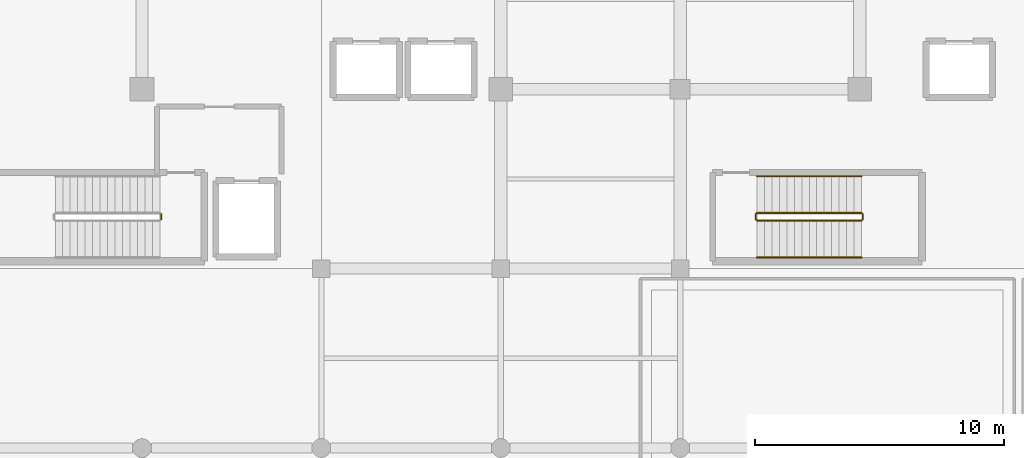
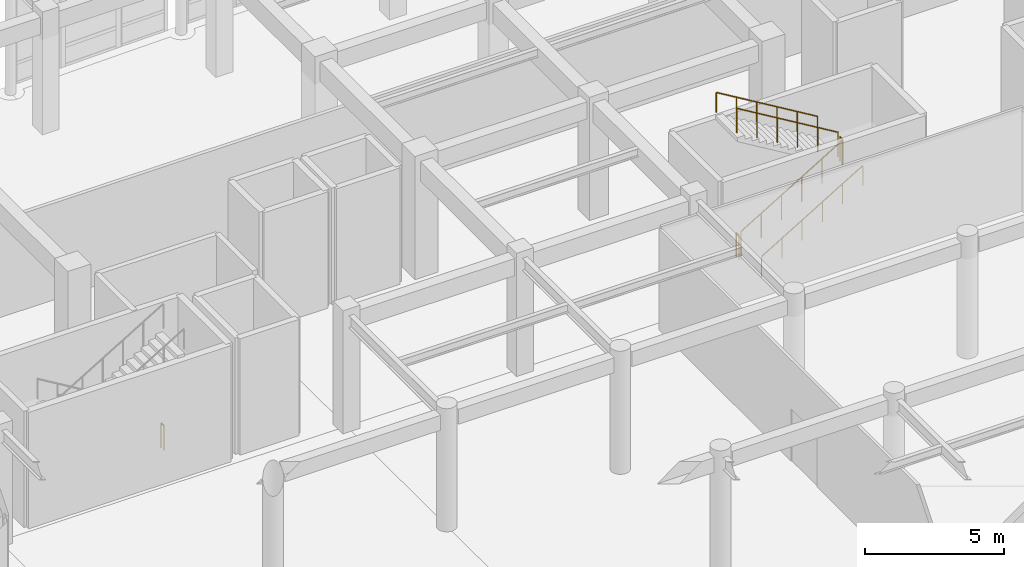
# One storey, part 96 of 102: 7 railings.
"""IFC4 building model written with IfcOpenShell, lengths in metres."""

from ifc_helpers import new_model, si_unit, direction, frame, origin, origin_2d, place, context, subcontext, project, spatial, circle, extrude, material, layer, layer_set, type_object, element, save


model = new_model("IFC4")

# Units and contexts
model_context = context("Model", 3, precision=1e-05, world=origin(), true_north=direction((0.0, 1.0)))
body_context = subcontext(model_context, "Body", "Model", "MODEL_VIEW")
ifc_project = project(units=[si_unit("LENGTHUNIT", "METRE"), si_unit("AREAUNIT", "SQUARE_METRE"), si_unit("VOLUMEUNIT", "CUBIC_METRE"), si_unit("PLANEANGLEUNIT", "RADIAN"), si_unit("MASSUNIT", "GRAM", prefix="KILO")], contexts=[model_context])

# Site, building, storey
site_placement = place(None, origin())
site = spatial("IfcSite", under=ifc_project, at=site_placement, CompositionType="ELEMENT")
building_placement = place(site_placement, origin())
building = spatial("IfcBuilding", under=site, at=building_placement, Name="Carrowvane Square Congress Hotel", CompositionType="ELEMENT")
storey_placement = place(building_placement, origin())
storey = spatial("IfcBuildingStorey", under=building, at=storey_placement, Name="L00", CompositionType="ELEMENT", Elevation=0.0)

# Railings
ifc_material_1 = material(Name="Stainless steel 316", Category="steel")
ifc_layer_1 = layer(ifc_material_1, 0.048095703125)
ifc_layer_set_1 = layer_set([ifc_layer_1], Name="Stainless steel 316")
railing_type_1 = type_object("IfcRailingType", Name="RLG-HR-900", PredefinedType="HANDRAIL", material=ifc_layer_set_1)
railing_1_placement = place(storey_placement, frame((101.080078125, 92.25, 0.179931640625)))
element("IfcRailing", 1, at=railing_1_placement, inside=storey, type_object=railing_type_1, Name="L00 ST3 stair handrail 1", PredefinedType="HANDRAIL", context=body_context, shape_type="SweptSolid", body=[
    extrude(circle(Radius=0.02392578125, at=origin_2d()), frame((0.0, 0.0, 0.8759765625), z_axis=(0.857488527567, 0.0, 0.514503085598), x_axis=(0.0, 1.0, 0.0)), (0.0, 0.0, 1.0), 4.89794921875),
    extrude(circle(Radius=0.02099609375, at=origin_2d()), origin(), (0.0, 0.0, 1.0), 0.851806640625),
    extrude(circle(Radius=0.02099609375, at=origin_2d()), frame((0.840087890625, 0.0, 0.50390625)), (0.0, 0.0, 1.0), 0.851806640625),
    extrude(circle(Radius=0.02099609375, at=origin_2d()), frame((1.679931640625, 0.0, 1.008056640625)), (0.0, 0.0, 1.0), 0.851806640625),
    extrude(circle(Radius=0.02099609375, at=origin_2d()), frame((2.52001953125, 0.0, 1.511962890625)), (0.0, 0.0, 1.0), 0.851806640625),
    extrude(circle(Radius=0.02099609375, at=origin_2d()), frame((3.35986328125, 0.0, 2.01611328125)), (0.0, 0.0, 1.0), 0.851806640625),
    extrude(circle(Radius=0.02099609375, at=origin_2d()), frame((4.199951171875, 0.0, 2.52001953125)), (0.0, 0.0, 1.0), 0.851806640625),
])
railing_2_placement = place(storey_placement, frame((105.280029296875, 95.510009765625, 2.8798828125)))
element("IfcRailing", 2, at=railing_2_placement, inside=storey, type_object=railing_type_1, Name="L00 ST3 stair handrail 2", PredefinedType="HANDRAIL", context=body_context, shape_type="SweptSolid", body=[
    extrude(circle(Radius=0.02392578125, at=origin_2d()), frame((0.0, 0.0, 0.8759765625), z_axis=(-0.857488527567, 0.0, 0.514503085598), x_axis=(0.0, -1.0, 0.0)), (0.0, 0.0, 1.0), 4.89794921875),
    extrude(circle(Radius=0.02099609375, at=origin_2d()), origin(), (0.0, 0.0, 1.0), 0.851806640625),
    extrude(circle(Radius=0.02099609375, at=origin_2d()), frame((-0.840087890625, 0.0, 0.50390625)), (0.0, 0.0, 1.0), 0.851806640625),
    extrude(circle(Radius=0.02099609375, at=origin_2d()), frame((-1.679931640625, 0.0, 1.008056640625)), (0.0, 0.0, 1.0), 0.851806640625),
    extrude(circle(Radius=0.02099609375, at=origin_2d()), frame((-2.52001953125, 0.0, 1.511962890625)), (0.0, 0.0, 1.0), 0.851806640625),
    extrude(circle(Radius=0.02099609375, at=origin_2d()), frame((-3.35986328125, 0.0, 2.01611328125)), (0.0, 0.0, 1.0), 0.851806640625),
    extrude(circle(Radius=0.02099609375, at=origin_2d()), frame((-4.199951171875, 0.0, 2.52001953125)), (0.0, 0.0, 1.0), 0.851806640625),
])
ifc_material_2 = material(Name="Galvanised steel", Category="steel")
ifc_layer_2 = layer(ifc_material_2, 0.048095703125)
ifc_layer_set_2 = layer_set([ifc_layer_2], Name="Galvanised steel")
railing_type_2 = type_object("IfcRailingType", Name="RLG-STG-1100", PredefinedType="GUARDRAIL", material=ifc_layer_set_2)
railing_3_placement = place(storey_placement, frame((77.169921875, 93.97998046875, 0.0)))
element("IfcRailing", 3, at=railing_3_placement, inside=storey, type_object=railing_type_2, Name="L00 ST2 stair guard 4", PredefinedType="GUARDRAIL", context=body_context, shape_type="SweptSolid", body=[
    extrude(circle(Radius=0.02392578125, at=origin_2d()), frame((0.0, 0.0, 1.076171875), z_axis=(0.0, -1.0, 0.0), x_axis=(1.0, 0.0, 0.0)), (0.0, 0.0, 1.0), 0.199951171875),
    extrude(circle(Radius=0.02099609375, at=origin_2d()), origin(), (0.0, 0.0, 1.0), 1.052001953125),
    extrude(circle(Radius=0.02099609375, at=origin_2d()), frame((0.0, -0.199951171875, 0.0)), (0.0, 0.0, 1.0), 1.052001953125),
])
railing_4_placement = place(storey_placement, frame((101.080078125, 93.72998046875, 0.179931640625)))
element("IfcRailing", 4, at=railing_4_placement, inside=storey, type_object=railing_type_2, Name="L00 ST3 stair guard 1", PredefinedType="GUARDRAIL", context=body_context, shape_type="SweptSolid", body=[
    extrude(circle(Radius=0.02392578125, at=origin_2d()), frame((0.0, 0.0, 1.076171875), z_axis=(0.857488527567, 0.0, 0.514503085598), x_axis=(0.0, 1.0, 0.0)), (0.0, 0.0, 1.0), 4.89794921875),
    extrude(circle(Radius=0.02099609375, at=origin_2d()), origin(), (0.0, 0.0, 1.0), 1.052001953125),
    extrude(circle(Radius=0.02099609375, at=origin_2d()), frame((0.840087890625, 0.0, 0.50390625)), (0.0, 0.0, 1.0), 1.052001953125),
    extrude(circle(Radius=0.02099609375, at=origin_2d()), frame((1.679931640625, 0.0, 1.008056640625)), (0.0, 0.0, 1.0), 1.052001953125),
    extrude(circle(Radius=0.02099609375, at=origin_2d()), frame((2.52001953125, 0.0, 1.511962890625)), (0.0, 0.0, 1.0), 1.052001953125),
    extrude(circle(Radius=0.02099609375, at=origin_2d()), frame((3.35986328125, 0.0, 2.01611328125)), (0.0, 0.0, 1.0), 1.052001953125),
    extrude(circle(Radius=0.02099609375, at=origin_2d()), frame((4.199951171875, 0.0, 2.52001953125)), (0.0, 0.0, 1.0), 1.052001953125),
])
railing_5_placement = place(storey_placement, frame((105.330078125, 93.780029296875, 2.699951171875)))
element("IfcRailing", 5, at=railing_5_placement, inside=storey, type_object=railing_type_2, Name="L00 ST3 stair guard 2", PredefinedType="GUARDRAIL", context=body_context, shape_type="SweptSolid", body=[
    extrude(circle(Radius=0.02392578125, at=origin_2d()), frame((0.0, 0.0, 1.076171875), z_axis=(0.0, 1.0, 0.0), x_axis=(-1.0, 0.0, 0.0)), (0.0, 0.0, 1.0), 0.199951171875),
    extrude(circle(Radius=0.02099609375, at=origin_2d()), origin(), (0.0, 0.0, 1.0), 1.052001953125),
    extrude(circle(Radius=0.02099609375, at=origin_2d()), frame((0.0, 0.199951171875, 0.0)), (0.0, 0.0, 1.0), 1.052001953125),
])
railing_6_placement = place(storey_placement, frame((105.280029296875, 94.030029296875, 2.8798828125)))
element("IfcRailing", 6, at=railing_6_placement, inside=storey, type_object=railing_type_2, Name="L00 ST3 stair guard 3", PredefinedType="GUARDRAIL", context=body_context, shape_type="SweptSolid", body=[
    extrude(circle(Radius=0.02392578125, at=origin_2d()), frame((0.0, 0.0, 1.076171875), z_axis=(-0.857488527567, 0.0, 0.514503085598), x_axis=(0.0, -1.0, 0.0)), (0.0, 0.0, 1.0), 4.89794921875),
    extrude(circle(Radius=0.02099609375, at=origin_2d()), origin(), (0.0, 0.0, 1.0), 1.052001953125),
    extrude(circle(Radius=0.02099609375, at=origin_2d()), frame((-0.840087890625, 0.0, 0.50390625)), (0.0, 0.0, 1.0), 1.052001953125),
    extrude(circle(Radius=0.02099609375, at=origin_2d()), frame((-1.679931640625, 0.0, 1.008056640625)), (0.0, 0.0, 1.0), 1.052001953125),
    extrude(circle(Radius=0.02099609375, at=origin_2d()), frame((-2.52001953125, 0.0, 1.511962890625)), (0.0, 0.0, 1.0), 1.052001953125),
    extrude(circle(Radius=0.02099609375, at=origin_2d()), frame((-3.35986328125, 0.0, 2.01611328125)), (0.0, 0.0, 1.0), 1.052001953125),
    extrude(circle(Radius=0.02099609375, at=origin_2d()), frame((-4.199951171875, 0.0, 2.52001953125)), (0.0, 0.0, 1.0), 1.052001953125),
])
railing_7_placement = place(storey_placement, frame((101.030029296875, 93.780029296875, 0.0)))
element("IfcRailing", 7, at=railing_7_placement, inside=storey, type_object=railing_type_2, Name="L00 ST3 stair guard 4", PredefinedType="GUARDRAIL", context=body_context, shape_type="SweptSolid", body=[
    extrude(circle(Radius=0.02392578125, at=origin_2d()), frame((0.0, 0.0, 1.076171875), z_axis=(0.0, 1.0, 0.0), x_axis=(-1.0, 0.0, 0.0)), (0.0, 0.0, 1.0), 0.199951171875),
    extrude(circle(Radius=0.02099609375, at=origin_2d()), origin(), (0.0, 0.0, 1.0), 1.052001953125),
    extrude(circle(Radius=0.02099609375, at=origin_2d()), frame((0.0, 0.199951171875, 0.0)), (0.0, 0.0, 1.0), 1.052001953125),
])

save(model, "model.ifc")
